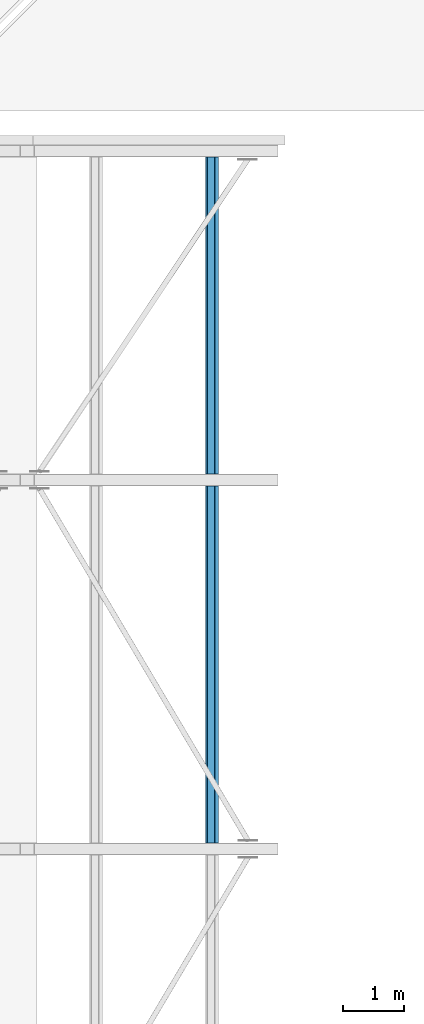
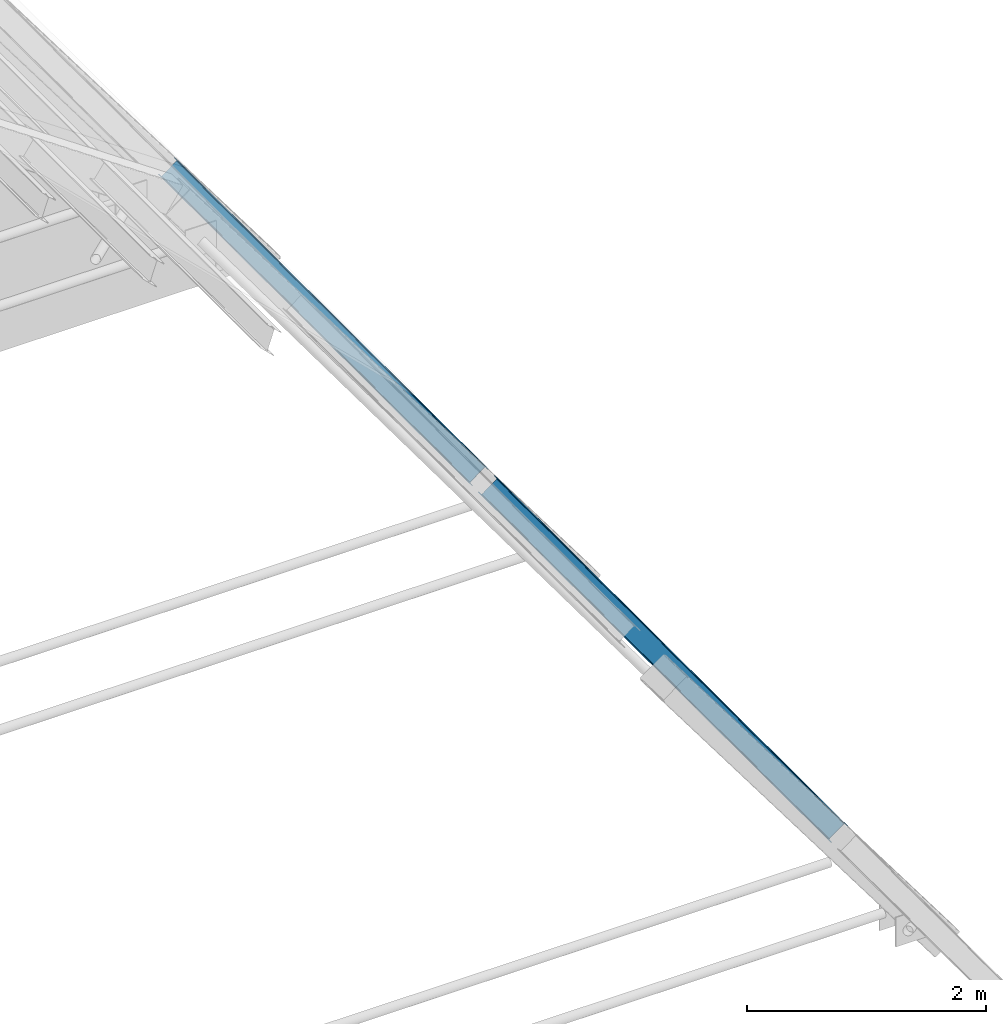
# One storey, part 11 of 43: 2 members.
"""IFC4 building model written with IfcOpenShell, lengths in metres."""

from ifc_helpers import new_model, si_unit, direction, frame, origin, origin_2d, place, context, subcontext, project, spatial, i_section, extrude, material, material_profile, profile_set, type_object, element, save


model = new_model("IFC4")

# Units and contexts
model_context = context("Model", 3, precision=1e-05, world=origin(), true_north=direction((0.0, 1.0)))
body_context = subcontext(model_context, "Body", "Model", "MODEL_VIEW")
ifc_project = project(units=[si_unit("LENGTHUNIT", "METRE"), si_unit("AREAUNIT", "SQUARE_METRE"), si_unit("VOLUMEUNIT", "CUBIC_METRE"), si_unit("PLANEANGLEUNIT", "RADIAN"), si_unit("MASSUNIT", "GRAM", prefix="KILO")], contexts=[model_context])

# Site, building, storey
site_placement = place(None, origin())
site = spatial("IfcSite", under=ifc_project, at=site_placement, CompositionType="ELEMENT")
building_placement = place(site_placement, origin())
building = spatial("IfcBuilding", under=site, at=building_placement, Name="Saffron Lane Theatres", CompositionType="ELEMENT")
storey_placement = place(building_placement, frame((0.0, 0.0, 23.0)))
storey = spatial("IfcBuildingStorey", under=building, at=storey_placement, Name="Roof", CompositionType="ELEMENT", Elevation=23.0)

# Members
ifc_material = material(Name="Steel Grade 350", Category="steel")
ifc_material_profile = material_profile(ifc_material, i_section(OverallWidth=0.09912109375, OverallDepth=0.197998046875, WebThickness=0.00439453125, FlangeThickness=0.007080078125, FilletRadius=0.010986328125, at=origin_2d()))
ifc_profile_set = profile_set([ifc_material_profile], Name="Steel Grade 350")
member_type = type_object("IfcMemberType", Name="ST-VAULT PURLIN 200UB18.2", PredefinedType="PURLIN", material=ifc_profile_set)
member_1_placement = place(storey_placement, frame((46.794677734375, 78.10009765625, -0.54150390625), z_axis=(0.0, 1.0, 0.0), x_axis=(0.597068546596, 0.0, -0.802190220998)))
element("IfcMember", 1, at=member_1_placement, inside=storey, type_object=member_type, Name="VP5H2", PredefinedType="PURLIN", context=body_context, shape_type="SweptSolid", body=[
    extrude(i_section(OverallWidth=0.09912109375, OverallDepth=0.197998046875, WebThickness=0.00439453125, FlangeThickness=0.007080078125, FilletRadius=0.010986328125, at=origin_2d()), origin(), (0.0, 0.0, 1.0), 5.7998046875),
])
member_2_placement = place(storey_placement, frame((46.794677734375, 84.10009765625, -0.54150390625), z_axis=(0.0, 1.0, 0.0), x_axis=(0.597068546596, 0.0, -0.802190220998)))
element("IfcMember", 2, at=member_2_placement, inside=storey, type_object=member_type, Name="VP6H2", PredefinedType="PURLIN", context=body_context, shape_type="SweptSolid", body=[
    extrude(i_section(OverallWidth=0.09912109375, OverallDepth=0.197998046875, WebThickness=0.00439453125, FlangeThickness=0.007080078125, FilletRadius=0.010986328125, at=origin_2d()), origin(), (0.0, 0.0, 1.0), 5.14990234375),
])

save(model, "model.ifc")
